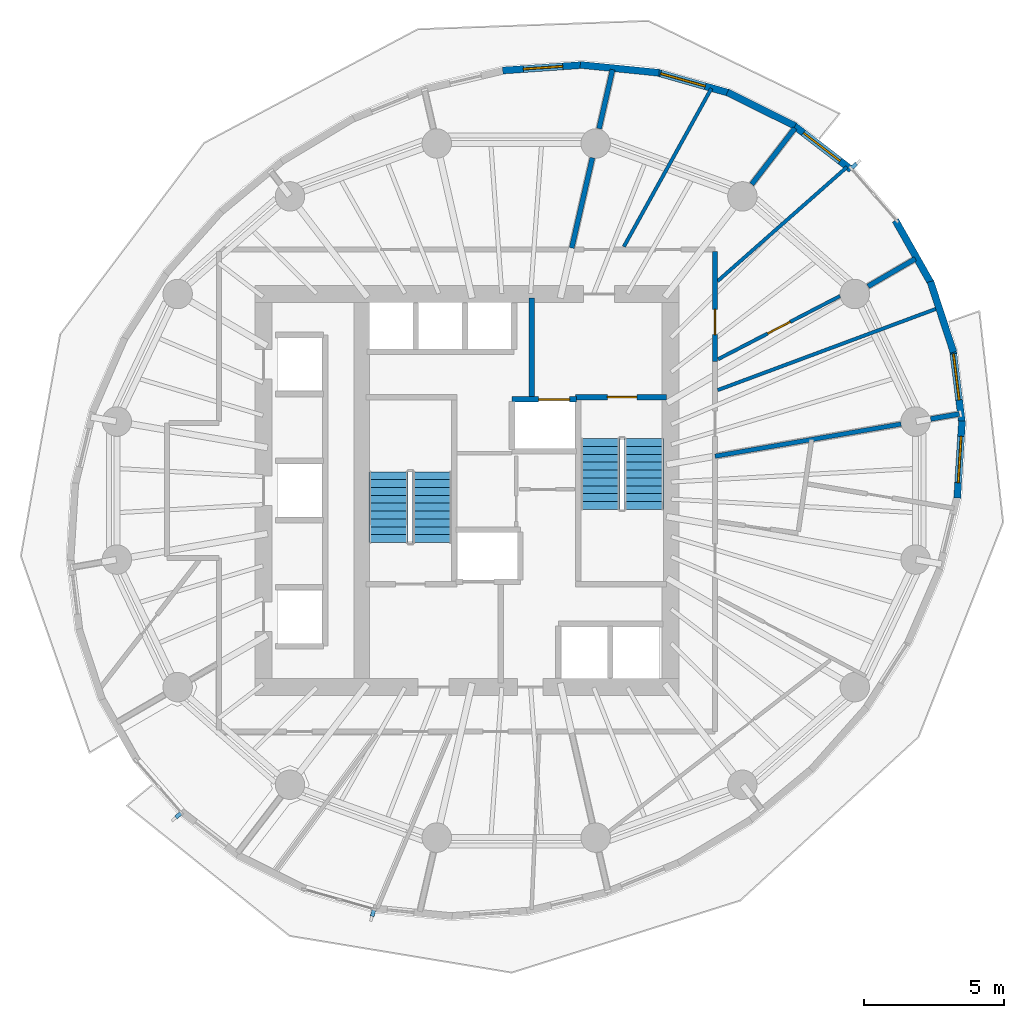
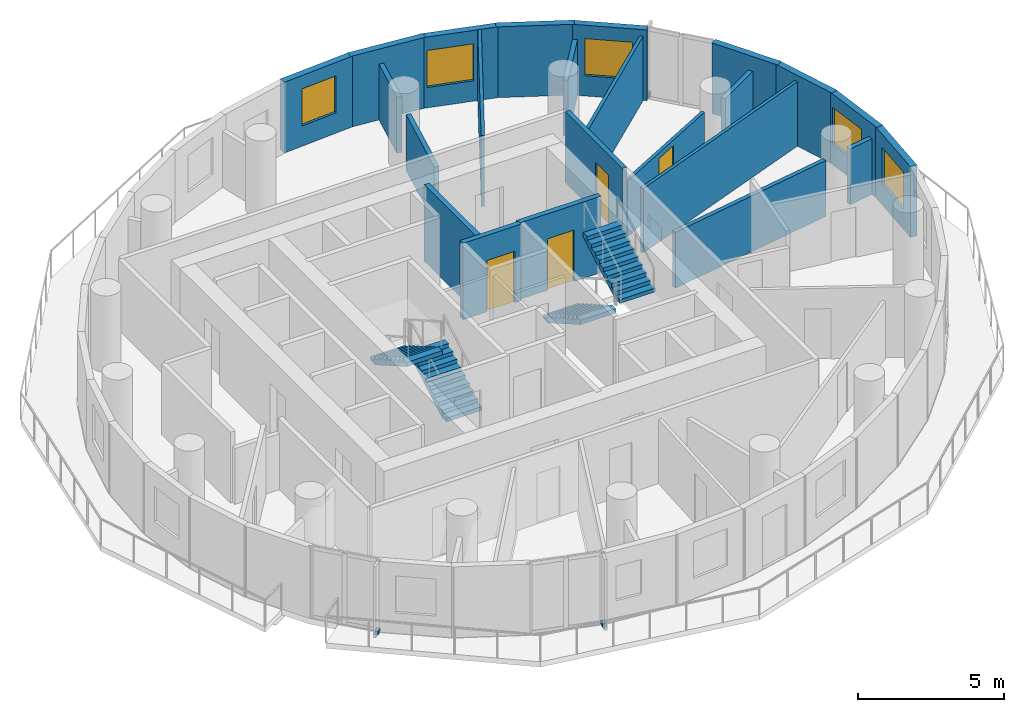
# One storey, part 7 of 12: 23 walls, 5 windows, 4 doors, 4 stair flights, 3 discrete accessories, 9 openings, 2 elements without a shape of their own.
"""IFC4 building model written with IfcOpenShell, lengths in metres."""

from ifc_helpers import new_model, si_unit, direction, frame, frame_2d, origin, origin_2d, place, context, subcontext, project, spatial, polyline, rectangle, outline, extrude, material, layer, layer_set, type_object, element, fill, aggregate, save


model = new_model("IFC4")

# Units and contexts
model_context = context("Model", 3, precision=1e-05, world=origin(), true_north=direction((0.0, 1.0)))
body_context = subcontext(model_context, "Body", "Model", "MODEL_VIEW")
ifc_project = project(units=[si_unit("LENGTHUNIT", "METRE"), si_unit("AREAUNIT", "SQUARE_METRE"), si_unit("VOLUMEUNIT", "CUBIC_METRE"), si_unit("PLANEANGLEUNIT", "RADIAN"), si_unit("MASSUNIT", "GRAM", prefix="KILO")], contexts=[model_context])

# Site, building, storey
site_placement = place(None, origin())
site = spatial("IfcSite", under=ifc_project, at=site_placement, CompositionType="ELEMENT")
building_placement = place(site_placement, origin())
building = spatial("IfcBuilding", under=site, at=building_placement, Name="Veldorim Arch Residences", CompositionType="ELEMENT")
storey_placement = place(building_placement, frame((0.0, 0.0, 142.56005859375)))
storey = spatial("IfcBuildingStorey", under=building, at=storey_placement, Name="L42", CompositionType="ELEMENT", Elevation=142.56005859375)

# Walls
ifc_material_1 = material(Name="Acoustic Gypsum Board", Category="gypsum")
ifc_layer_1 = layer(ifc_material_1, 0.125, Name="Acoustic Stud Room Partition Wall 125")
ifc_layer_set_1 = layer_set([ifc_layer_1], Name="Acoustic Gypsum Board")
wall_type_1 = type_object("IfcWallType", Name="Acoustic Stud Room Partition Wall 125", PredefinedType="PARTITIONING", material=ifc_layer_set_1)
wall_1_placement = place(storey_placement, frame((38.951171875, 38.322509765625, 0.0), z_axis=(0.0, 0.0, 1.0), x_axis=(-0.484039777335, -0.875045995338, 0.0)))
element("IfcWall", 1, at=wall_1_placement, inside=storey, type_object=wall_type_1, Name="L42 interior wall WL-RES-L42-021", PredefinedType="PARTITIONING", context=body_context, shape_type="SweptSolid", body=[
    extrude(rectangle(XDim=6.4423828125, YDim=0.125, at=frame_2d((3.22119140625, 0.0))), origin(), (0.0, 0.0, 1.0), 2.954833984375),
])
wall_2_placement = place(storey_placement, frame((43.78271484375, 35.5244140625, 0.0), z_axis=(0.0, 0.0, 1.0), x_axis=(-0.750018545151, -0.661416798947, 0.0)))
element("IfcWall", 2, at=wall_2_placement, inside=storey, type_object=wall_type_1, Name="L42 interior wall WL-RES-L42-023", PredefinedType="PARTITIONING", context=body_context, shape_type="SweptSolid", body=[
    extrude(rectangle(XDim=6.150146484375, YDim=0.125, at=frame_2d((3.0751953125, 0.0))), origin(), (0.0, 0.0, 1.0), 2.69189453125),
])

# Wall, opening, door
wall_3_placement = place(storey_placement, frame((43.531494140625, 30.927001953125, 0.0), z_axis=(0.0, 0.0, 1.0), x_axis=(-0.888041341995, -0.459763607638, 0.0)))
wall_3 = element("IfcWall", 3, at=wall_3_placement, inside=storey, type_object=wall_type_1, Name="L42 interior wall WL-RES-L42-024", PredefinedType="PARTITIONING", context=body_context, shape_type="SweptSolid", body=[
    extrude(rectangle(XDim=4.892822265625, YDim=0.125, at=frame_2d((2.4462890625, 0.0))), origin(), (0.0, 0.0, 1.0), 2.335693359375),
])
opening_1_placement = place(wall_3_placement, frame((1.996337890625, 0.0, 0.0)))
opening_1 = element("IfcOpeningElement", 4, at=opening_1_placement, cuts=wall_3, Name="Opening DR-INT", PredefinedType="OPENING", context=body_context, shape_type="SweptSolid", body=[
    extrude(rectangle(XDim=0.89990234375, YDim=2.10009765625, at=frame_2d((0.449951171875, 1.050048828125))), frame((0.0, 0.072509765625, 0.0), z_axis=(0.0, -1.0, 0.0), x_axis=(1.0, 0.0, 0.0)), (0.0, 0.0, 1.0), 0.14501953125),
])
ifc_material_2 = material(Name="Engineered Timber", Category="wood")
door_type_1 = type_object("IfcDoorType", Name="Apartment Internal Room Timber Door 900x2100", OperationType="SINGLE_SWING_LEFT", PredefinedType="DOOR", material=ifc_material_2)
door_1_placement = place(opening_1_placement, origin())
door_1 = element("IfcDoor", 5, at=door_1_placement, inside=storey, type_object=door_type_1, Name="L42 interior door DR-RES-L42-014", OperationType="SINGLE_SWING_RIGHT", OverallHeight=2.10009765625, OverallWidth=0.89990234375, PredefinedType="DOOR", context=body_context, shape_type="SweptSolid", body=[
    extrude(rectangle(XDim=0.89990234375, YDim=2.10009765625, at=frame_2d((0.449951171875, 1.050048828125))), frame((0.0, 0.02490234375, 0.0), z_axis=(0.0, -1.0, 0.0), x_axis=(1.0, 0.0, 0.0)), (0.0, 0.0, 1.0), 0.050048828125),
])
fill(opening_1, door_1)

# Walls
wall_4_placement = place(storey_placement, frame((39.173583984375, 27.57666015625, 0.0), z_axis=(0.0, 0.0, 1.0), x_axis=(0.9372070401, 0.348773513883, 0.0)))
element("IfcWall", 6, at=wall_4_placement, inside=storey, type_object=wall_type_1, Name="L42 interior wall WL-RES-L42-025", PredefinedType="PARTITIONING", context=body_context, shape_type="SweptSolid", body=[
    extrude(rectangle(XDim=8.39501953125, YDim=0.125, at=frame_2d((4.197509765625, 0.0))), origin(), (0.0, 0.0, 1.0), 2.69189453125),
])
ifc_material_3 = material(Name="Lightweight Masonry Block & Gypsum", Category="masonry")
ifc_layer_2 = layer(ifc_material_3, 0.179931640625, Name="Compartment & Corridor Fire-Rated Party Wall 180")
ifc_layer_set_2 = layer_set([ifc_layer_2], Name="Lightweight Masonry Block & Gypsum")
wall_type_2 = type_object("IfcWallType", Name="Compartment & Corridor Fire-Rated Party Wall 180", PredefinedType="PARTITIONING", material=ifc_layer_set_2)
wall_5_placement = place(storey_placement, frame((46.75830078125, 26.55078125, 0.0), z_axis=(0.0, 0.0, 1.0), x_axis=(0.985390767806, 0.170308645474, 0.0)))
element("IfcWall", 7, at=wall_5_placement, inside=storey, type_object=wall_type_2, Name="L42 interior wall WL-PIER-L42-01", PredefinedType="PARTITIONING", context=body_context, shape_type="SweptSolid", body=[
    extrude(rectangle(XDim=1.037841796875, YDim=0.179931640625, at=frame_2d((0.51904296875, 0.0))), origin(), (0.0, 0.0, 1.0), 2.335693359375),
])
wall_6_placement = place(storey_placement, frame((44.527587890625, 31.27392578125, 0.0), z_axis=(0.0, 0.0, 1.0), x_axis=(0.864802971131, 0.502111363268, 0.0)))
element("IfcWall", 8, at=wall_6_placement, inside=storey, type_object=wall_type_2, Name="L42 interior wall WL-PIER-L42-02", PredefinedType="PARTITIONING", context=body_context, shape_type="SweptSolid", body=[
    extrude(rectangle(XDim=1.95068359375, YDim=0.179931640625, at=frame_2d((0.975341796875, 0.0))), origin(), (0.0, 0.0, 1.0), 2.335693359375),
])
wall_7_placement = place(storey_placement, frame((40.387939453125, 34.908447265625, 0.0), z_axis=(0.0, 0.0, 1.0), x_axis=(0.609556175004, 0.792742877303, 0.0)))
element("IfcWall", 9, at=wall_7_placement, inside=storey, type_object=wall_type_2, Name="L42 interior wall WL-PIER-L42-03", PredefinedType="PARTITIONING", context=body_context, shape_type="SweptSolid", body=[
    extrude(rectangle(XDim=2.518798828125, YDim=0.179931640625, at=frame_2d((1.25927734375, 0.0))), origin(), (0.0, 0.0, 1.0), 2.335693359375),
])
wall_8_placement = place(storey_placement, frame((34.950439453125, 36.88916015625, 0.0), z_axis=(0.0, 0.0, 1.0), x_axis=(0.223080127706, 0.974800111111, 0.0)))
element("IfcWall", 10, at=wall_8_placement, inside=storey, type_object=wall_type_2, Name="L42 interior wall WL-PIER-L42-04", PredefinedType="PARTITIONING", context=body_context, shape_type="SweptSolid", body=[
    extrude(rectangle(XDim=2.15478515625, YDim=0.179931640625, at=frame_2d((1.077392578125, 0.0))), origin(), (0.0, 0.0, 1.0), 2.335693359375),
])

# Wall, opening, door
wall_9_placement = place(storey_placement, frame((39.080078125, 32.52001953125, 0.0), z_axis=(0.0, 0.0, 1.0), x_axis=(0.0, -1.0, 0.0)))
wall_9 = element("IfcWall", 11, at=wall_9_placement, inside=storey, type_object=wall_type_2, Name="L42 interior wall WL-RES-L42-005", PredefinedType="PARTITIONING", context=body_context, shape_type="SweptSolid", body=[
    extrude(rectangle(XDim=3.917724609375, YDim=0.179931640625, at=frame_2d((1.958984375, 0.0))), origin(), (0.0, 0.0, 1.0), 2.954833984375),
])
opening_2_placement = place(wall_9_placement, frame((2.06689453125, 0.0, 0.0)))
opening_2 = element("IfcOpeningElement", 12, at=opening_2_placement, cuts=wall_9, Name="Opening DR-SVC", PredefinedType="OPENING", context=body_context, shape_type="SweptSolid", body=[
    extrude(rectangle(XDim=0.89990234375, YDim=2.10009765625, at=frame_2d((0.449951171875, 1.050048828125))), frame((0.0, 0.099853515625, 0.0), z_axis=(0.0, -1.0, 0.0), x_axis=(1.0, 0.0, 0.0)), (0.0, 0.0, 1.0), 0.199951171875),
])
ifc_material_4 = material(Name="Fire-Rated Steel", Category="steel")
door_type_2 = type_object("IfcDoorType", Name="Riser, Shelter & Plant Room Rated Steel Door 900x2100", OperationType="SINGLE_SWING_LEFT", PredefinedType="DOOR", material=ifc_material_4)
door_2_placement = place(opening_2_placement, origin())
door_2 = element("IfcDoor", 13, at=door_2_placement, inside=storey, type_object=door_type_2, Name="L42 interior door DR-RES-L42-012", OperationType="SINGLE_SWING_RIGHT", OverallHeight=2.10009765625, OverallWidth=0.89990234375, PredefinedType="DOOR", context=body_context, shape_type="SweptSolid", body=[
    extrude(rectangle(XDim=0.89990234375, YDim=2.10009765625, at=frame_2d((0.449951171875, 1.050048828125))), frame((0.0, 0.02490234375, 0.0), z_axis=(0.0, -1.0, 0.0), x_axis=(1.0, 0.0, 0.0)), (0.0, 0.0, 1.0), 0.050048828125),
])
fill(opening_2, door_2)

# Wall
wall_10_placement = place(storey_placement, frame((33.977294921875, 32.638427734375, 0.0), z_axis=(0.0, 0.0, 1.0), x_axis=(0.22319287001, 0.974774303506, 0.0)))
element("IfcWall", 14, at=wall_10_placement, inside=storey, type_object=wall_type_2, Name="L42 interior wall WL-RES-L42-022", PredefinedType="PARTITIONING", context=body_context, shape_type="SweptSolid", body=[
    extrude(rectangle(XDim=3.2958984375, YDim=0.179931640625, at=frame_2d((1.64794921875, 0.0))), origin(), (0.0, 0.0, 1.0), 2.335693359375),
])

# Wall, opening, door
ifc_material_5 = material(Name="Concrete C50/60", Category="concrete")
ifc_layer_3 = layer(ifc_material_5, 0.199951171875, Name="Core Stair & Lift Shaft Enclosure Wall 200")
ifc_layer_set_3 = layer_set([ifc_layer_3], Name="Concrete C50/60")
wall_type_3 = type_object("IfcWallType", Name="Core Stair & Lift Shaft Enclosure Wall 200", PredefinedType="SHEAR", material=ifc_layer_set_3)
wall_11_placement = place(storey_placement, frame((34.110107421875, 27.330078125, 0.0), z_axis=(0.0, 0.0, 1.0), x_axis=(1.0, 0.0, 0.0)))
wall_11 = element("IfcWall", 15, at=wall_11_placement, inside=storey, type_object=wall_type_3, Name="L42 shaft wall WL-SHF-L42-ST2-N", PredefinedType="SHEAR", context=body_context, shape_type="SweptSolid", body=[
    extrude(rectangle(XDim=3.239990234375, YDim=0.199951171875, at=frame_2d((1.6201171875, 0.0))), origin(), (0.0, 0.0, 1.0), 3.199951171875),
])
opening_3_placement = place(wall_11_placement, frame((1.135009765625, 0.0, 0.0)))
opening_3 = element("IfcOpeningElement", 16, at=opening_3_placement, cuts=wall_11, Name="Opening DR-ST", PredefinedType="OPENING", context=body_context, shape_type="SweptSolid", body=[
    extrude(rectangle(XDim=1.050048828125, YDim=2.14990234375, at=frame_2d((0.52490234375, 1.074951171875))), frame((0.0, 0.10986328125, 0.0), z_axis=(0.0, -1.0, 0.0), x_axis=(1.0, 0.0, 0.0)), (0.0, 0.0, 1.0), 0.219970703125),
])
ifc_material_6 = material(Name="Fire-Rated Steel", Category="steel")
door_type_3 = type_object("IfcDoorType", Name="Exit Staircase Self-Closing Fire Door 1050x2150", OperationType="SINGLE_SWING_LEFT", PredefinedType="DOOR", material=ifc_material_6)
door_3_placement = place(opening_3_placement, origin())
door_3 = element("IfcDoor", 17, at=door_3_placement, inside=storey, type_object=door_type_3, Name="L42 interior door DR-L42-ST2", OperationType="SINGLE_SWING_RIGHT", OverallHeight=2.14990234375, OverallWidth=1.050048828125, PredefinedType="DOOR", context=body_context, shape_type="SweptSolid", body=[
    extrude(rectangle(XDim=1.050048828125, YDim=2.14990234375, at=frame_2d((0.52490234375, 1.074951171875))), frame((0.0, 0.02490234375, 0.0), z_axis=(0.0, -1.0, 0.0), x_axis=(1.0, 0.0, 0.0)), (0.0, 0.0, 1.0), 0.050048828125),
])
fill(opening_3, door_3)

# Wall
wall_12_placement = place(storey_placement, frame((32.550048828125, 27.35009765625, 0.0), z_axis=(0.0, 0.0, 1.0), x_axis=(0.0, 1.0, 0.0)))
element("IfcWall", 18, at=wall_12_placement, inside=storey, type_object=wall_type_3, Name="L42 shaft wall WL-FFL2-L42-W", PredefinedType="SHEAR", context=body_context, shape_type="SweptSolid", body=[
    extrude(rectangle(XDim=3.5, YDim=0.199951171875, at=frame_2d((1.75, 0.0))), origin(), (0.0, 0.0, 1.0), 3.199951171875),
])

# Wall, opening, door
wall_13_placement = place(storey_placement, frame((31.85009765625, 27.25, 0.0), z_axis=(0.0, 0.0, 1.0), x_axis=(1.0, 0.0, 0.0)))
wall_13 = element("IfcWall", 19, at=wall_13_placement, inside=storey, type_object=wall_type_3, Name="L42 shaft wall WL-FL02-L42-N", PredefinedType="SHEAR", context=body_context, shape_type="SweptSolid", body=[
    extrude(rectangle(XDim=2.2998046875, YDim=0.199951171875, at=frame_2d((1.14990234375, 0.0))), origin(), (0.0, 0.0, 1.0), 3.199951171875),
])
opening_4_placement = place(wall_13_placement, frame((0.949951171875, 0.0, 0.0)))
opening_4 = element("IfcOpeningElement", 20, at=opening_4_placement, cuts=wall_13, Name="Opening LD-FF", PredefinedType="OPENING", context=body_context, shape_type="SweptSolid", body=[
    extrude(rectangle(XDim=1.10009765625, YDim=2.14990234375, at=frame_2d((0.550048828125, 1.074951171875))), frame((0.0, 0.10986328125, 0.0), z_axis=(0.0, -1.0, 0.0), x_axis=(1.0, 0.0, 0.0)), (0.0, 0.0, 1.0), 0.219970703125),
])
ifc_material_7 = material(Name="Stainless Steel", Category="steel")
door_type_4 = type_object("IfcDoorType", Name="Firefighting Lift Bi-Parting Sliding Landing Door 1100x2150", OperationType="DOUBLE_DOOR_SLIDING", PredefinedType="DOOR", material=ifc_material_7)
door_4_placement = place(opening_4_placement, origin())
door_4 = element("IfcDoor", 21, at=door_4_placement, inside=storey, type_object=door_type_4, Name="L42 lift landing door LD-L42-FL02", OperationType="DOUBLE_DOOR_SLIDING", OverallHeight=2.14990234375, OverallWidth=1.10009765625, PredefinedType="DOOR", context=body_context, shape_type="SweptSolid", body=[
    extrude(rectangle(XDim=1.10009765625, YDim=2.14990234375, at=frame_2d((0.550048828125, 1.074951171875))), frame((0.0, 0.02490234375, 0.0), z_axis=(0.0, -1.0, 0.0), x_axis=(1.0, 0.0, 0.0)), (0.0, 0.0, 1.0), 0.050048828125),
])
fill(opening_4, door_4)

# Wall, opening, window
ifc_material_8 = material(Name="Precast concrete C40/50", Category="concrete")
ifc_layer_4 = layer(ifc_material_8, 0.25, Name="Tower Terracotta Spandrel & Pier Wall 250")
ifc_layer_set_4 = layer_set([ifc_layer_4], Name="Precast concrete C40/50")
wall_type_4 = type_object("IfcWallType", Name="Tower Terracotta Spandrel & Pier Wall 250", PredefinedType="SOLIDWALL", material=ifc_layer_set_4)
wall_14_placement = place(storey_placement, frame((41.83056640625, 37.046142578125, 0.0), z_axis=(0.0, 0.0, 1.0), x_axis=(0.7923805969, -0.610027040103, 0.0)))
wall_14 = element("IfcWall", 22, at=wall_14_placement, inside=storey, type_object=wall_type_4, Name="L42 terracotta facade wall 02", PredefinedType="SOLIDWALL", context=body_context, shape_type="SweptSolid", body=[
    extrude(rectangle(XDim=2.648193359375, YDim=0.25, at=frame_2d((1.32421875, 0.0))), origin(), (0.0, 0.0, 1.0), 2.9599609375),
])
opening_5_placement = place(wall_14_placement, frame((0.4990234375, 0.0, 0.85009765625)))
opening_5 = element("IfcOpeningElement", 23, at=opening_5_placement, cuts=wall_14, Name="Opening WN-03", PredefinedType="OPENING", context=body_context, shape_type="SweptSolid", body=[
    extrude(rectangle(XDim=1.64990234375, YDim=1.550048828125, at=frame_2d((0.824951171875, 0.77490234375))), frame((0.0, 0.135009765625, 0.0), z_axis=(0.0, -1.0, 0.0), x_axis=(1.0, 0.0, 0.0)), (0.0, 0.0, 1.0), 0.27001953125),
])
ifc_material_9 = material(Name="Laminated Low-E Glass", Category="glass")
window_type_1 = type_object("IfcWindowType", Name="Residential Wide Window 1650x1550", PartitioningType="SINGLE_PANEL", PredefinedType="WINDOW", material=ifc_material_9)
window_1_placement = place(opening_5_placement, origin())
window_1 = element("IfcWindow", 24, at=window_1_placement, inside=storey, type_object=window_type_1, Name="L42 solar-control facade window 02", OverallHeight=1.550048828125, OverallWidth=1.64990234375, PartitioningType="SINGLE_PANEL", PredefinedType="WINDOW", context=body_context, shape_type="SweptSolid", body=[
    extrude(rectangle(XDim=1.64990234375, YDim=1.550048828125, at=frame_2d((0.824951171875, 0.77490234375))), frame((0.0, 0.030029296875, 0.0), z_axis=(0.0, -1.0, 0.0), x_axis=(1.0, 0.0, 0.0)), (0.0, 0.0, 1.0), 0.06005859375),
])
fill(opening_5, window_1)

# Wall
wall_15_placement = place(storey_placement, frame((39.51708984375, 38.18798828125, 0.0), z_axis=(0.0, 0.0, 1.0), x_axis=(0.894843809708, -0.446379385979, 0.0)))
element("IfcWall", 25, at=wall_15_placement, inside=storey, type_object=wall_type_4, Name="L42 terracotta facade wall 03", PredefinedType="SOLIDWALL", context=body_context, shape_type="SweptSolid", body=[
    extrude(rectangle(XDim=2.693115234375, YDim=0.25, at=frame_2d((1.3466796875, 0.0))), origin(), (0.0, 0.0, 1.0), 2.9599609375),
])

# Wall, opening, window
wall_16_placement = place(storey_placement, frame((36.97509765625, 38.900146484375, 0.0), z_axis=(0.0, 0.0, 1.0), x_axis=(0.961851311091, -0.27357276062, 0.0)))
wall_16 = element("IfcWall", 26, at=wall_16_placement, inside=storey, type_object=wall_type_4, Name="L42 terracotta facade wall 04", PredefinedType="SOLIDWALL", context=body_context, shape_type="SweptSolid", body=[
    extrude(rectangle(XDim=2.752197265625, YDim=0.25, at=frame_2d((1.3759765625, 0.0))), origin(), (0.0, 0.0, 1.0), 2.9599609375),
])
opening_6_placement = place(wall_16_placement, frame((0.175048828125, 0.0, 0.85009765625)))
opening_6 = element("IfcOpeningElement", 27, at=opening_6_placement, cuts=wall_16, Name="Opening WN-03", PredefinedType="OPENING", context=body_context, shape_type="SweptSolid", body=[
    extrude(rectangle(XDim=1.64990234375, YDim=1.550048828125, at=frame_2d((0.824951171875, 0.77490234375))), frame((0.0, 0.135009765625, 0.0), z_axis=(0.0, -1.0, 0.0), x_axis=(1.0, 0.0, 0.0)), (0.0, 0.0, 1.0), 0.27001953125),
])
window_2_placement = place(opening_6_placement, origin())
window_2 = element("IfcWindow", 28, at=window_2_placement, inside=storey, type_object=window_type_1, Name="L42 solar-control facade window 04", OverallHeight=1.550048828125, OverallWidth=1.64990234375, PartitioningType="SINGLE_PANEL", PredefinedType="WINDOW", context=body_context, shape_type="SweptSolid", body=[
    extrude(rectangle(XDim=1.64990234375, YDim=1.550048828125, at=frame_2d((0.824951171875, 0.77490234375))), frame((0.0, 0.030029296875, 0.0), z_axis=(0.0, -1.0, 0.0), x_axis=(1.0, 0.0, 0.0)), (0.0, 0.0, 1.0), 0.06005859375),
])
fill(opening_6, window_2)

# Wall
wall_17_placement = place(storey_placement, frame((34.281494140625, 39.16015625, 0.0), z_axis=(0.0, 0.0, 1.0), x_axis=(0.995013999105, -0.099735357744, 0.0)))
element("IfcWall", 29, at=wall_17_placement, inside=storey, type_object=wall_type_4, Name="L42 terracotta facade wall 05", PredefinedType="SOLIDWALL", context=body_context, shape_type="SweptSolid", body=[
    extrude(rectangle(XDim=2.817626953125, YDim=0.25, at=frame_2d((1.40869140625, 0.0))), origin(), (0.0, 0.0, 1.0), 2.9599609375),
])

# Wall, opening, window
wall_18_placement = place(storey_placement, frame((31.517333984375, 38.960205078125, 0.0), z_axis=(0.0, 0.0, 1.0), x_axis=(0.997630729469, 0.068796276206, 0.0)))
wall_18 = element("IfcWall", 30, at=wall_18_placement, inside=storey, type_object=wall_type_4, Name="L42 terracotta facade wall 06", PredefinedType="SOLIDWALL", context=body_context, shape_type="SweptSolid", body=[
    extrude(rectangle(XDim=2.881591796875, YDim=0.25, at=frame_2d((1.44091796875, 0.0))), origin(), (0.0, 0.0, 1.0), 2.9599609375),
])
opening_7_placement = place(wall_18_placement, frame((0.740966796875, 0.0, 0.85009765625)))
opening_7 = element("IfcOpeningElement", 31, at=opening_7_placement, cuts=wall_18, Name="Opening WN-02", PredefinedType="OPENING", context=body_context, shape_type="SweptSolid", body=[
    extrude(rectangle(XDim=1.39990234375, YDim=1.550048828125, at=frame_2d((0.699951171875, 0.77490234375))), frame((0.0, 0.135009765625, 0.0), z_axis=(0.0, -1.0, 0.0), x_axis=(1.0, 0.0, 0.0)), (0.0, 0.0, 1.0), 0.27001953125),
])
ifc_material_10 = material(Name="Laminated Low-E Glass", Category="glass")
window_type_2 = type_object("IfcWindowType", Name="Residential Casement Window 1400x1550", PartitioningType="SINGLE_PANEL", PredefinedType="WINDOW", material=ifc_material_10)
window_3_placement = place(opening_7_placement, origin())
window_3 = element("IfcWindow", 32, at=window_3_placement, inside=storey, type_object=window_type_2, Name="L42 solar-control facade window 06", OverallHeight=1.550048828125, OverallWidth=1.39990234375, PartitioningType="SINGLE_PANEL", PredefinedType="WINDOW", context=body_context, shape_type="SweptSolid", body=[
    extrude(rectangle(XDim=1.39990234375, YDim=1.550048828125, at=frame_2d((0.699951171875, 0.77490234375))), frame((0.0, 0.030029296875, 0.0), z_axis=(0.0, -1.0, 0.0), x_axis=(1.0, 0.0, 0.0)), (0.0, 0.0, 1.0), 0.06005859375),
])
fill(opening_7, window_3)

wall_19_placement = place(storey_placement, frame((47.877685546875, 26.479248046875, 0.0), z_axis=(0.0, 0.0, 1.0), x_axis=(-0.062278868317, -0.998058787127, 0.0)))
wall_19 = element("IfcWall", 33, at=wall_19_placement, inside=storey, type_object=wall_type_4, Name="L42 terracotta facade wall 33", PredefinedType="SOLIDWALL", context=body_context, shape_type="SweptSolid", body=[
    extrude(rectangle(XDim=2.751953125, YDim=0.25, at=frame_2d((1.3759765625, 0.0))), origin(), (0.0, 0.0, 1.0), 2.9599609375),
])
opening_8_placement = place(wall_19_placement, frame((0.551025390625, 0.0, 0.85009765625)))
opening_8 = element("IfcOpeningElement", 34, at=opening_8_placement, cuts=wall_19, Name="Opening WN-03", PredefinedType="OPENING", context=body_context, shape_type="SweptSolid", body=[
    extrude(rectangle(XDim=1.64990234375, YDim=1.550048828125, at=frame_2d((0.824951171875, 0.77490234375))), frame((0.0, 0.135009765625, 0.0), z_axis=(0.0, -1.0, 0.0), x_axis=(1.0, 0.0, 0.0)), (0.0, 0.0, 1.0), 0.27001953125),
])
window_4_placement = place(opening_8_placement, origin())
window_4 = element("IfcWindow", 35, at=window_4_placement, inside=storey, type_object=window_type_1, Name="L42 solar-control facade window 33", OverallHeight=1.550048828125, OverallWidth=1.64990234375, PartitioningType="SINGLE_PANEL", PredefinedType="WINDOW", context=body_context, shape_type="SweptSolid", body=[
    extrude(rectangle(XDim=1.64990234375, YDim=1.550048828125, at=frame_2d((0.824951171875, 0.77490234375))), frame((0.0, 0.030029296875, 0.0), z_axis=(0.0, -1.0, 0.0), x_axis=(1.0, 0.0, 0.0)), (0.0, 0.0, 1.0), 0.06005859375),
])
fill(opening_8, window_4)

wall_20_placement = place(storey_placement, frame((47.54931640625, 29.0390625, 0.0), z_axis=(0.0, 0.0, 1.0), x_axis=(0.123197890413, -0.992382123881, 0.0)))
wall_20 = element("IfcWall", 36, at=wall_20_placement, inside=storey, type_object=wall_type_4, Name="L42 terracotta facade wall 34", PredefinedType="SOLIDWALL", context=body_context, shape_type="SweptSolid", body=[
    extrude(rectangle(XDim=2.693115234375, YDim=0.25, at=frame_2d((1.3466796875, 0.0))), origin(), (0.0, 0.0, 1.0), 2.9599609375),
])
opening_9_placement = place(wall_20_placement, frame((0.175048828125, 0.0, 0.85009765625)))
opening_9 = element("IfcOpeningElement", 37, at=opening_9_placement, cuts=wall_20, Name="Opening WN-03", PredefinedType="OPENING", context=body_context, shape_type="SweptSolid", body=[
    extrude(rectangle(XDim=1.64990234375, YDim=1.550048828125, at=frame_2d((0.824951171875, 0.77490234375))), frame((0.0, 0.135009765625, 0.0), z_axis=(0.0, -1.0, 0.0), x_axis=(1.0, 0.0, 0.0)), (0.0, 0.0, 1.0), 0.27001953125),
])
window_5_placement = place(opening_9_placement, origin())
window_5 = element("IfcWindow", 38, at=window_5_placement, inside=storey, type_object=window_type_1, Name="L42 solar-control facade window 34", OverallHeight=1.550048828125, OverallWidth=1.64990234375, PartitioningType="SINGLE_PANEL", PredefinedType="WINDOW", context=body_context, shape_type="SweptSolid", body=[
    extrude(rectangle(XDim=1.64990234375, YDim=1.550048828125, at=frame_2d((0.824951171875, 0.77490234375))), frame((0.0, 0.030029296875, 0.0), z_axis=(0.0, -1.0, 0.0), x_axis=(1.0, 0.0, 0.0)), (0.0, 0.0, 1.0), 0.06005859375),
])
fill(opening_9, window_5)

# Walls
wall_21_placement = place(storey_placement, frame((46.749267578125, 31.4443359375, 0.0), z_axis=(0.0, 0.0, 1.0), x_axis=(0.311522010952, -0.950238936633, 0.0)))
element("IfcWall", 39, at=wall_21_placement, inside=storey, type_object=wall_type_4, Name="L42 terracotta facade wall 35", PredefinedType="SOLIDWALL", context=body_context, shape_type="SweptSolid", body=[
    extrude(rectangle(XDim=2.648193359375, YDim=0.25, at=frame_2d((1.32421875, 0.0))), origin(), (0.0, 0.0, 1.0), 2.9599609375),
])
wall_22_placement = place(storey_placement, frame((45.501953125, 33.623046875, 0.0), z_axis=(0.0, 0.0, 1.0), x_axis=(0.492909281161, -0.870080709214, 0.0)))
element("IfcWall", 40, at=wall_22_placement, inside=storey, type_object=wall_type_4, Name="L42 terracotta facade wall 36", PredefinedType="SOLIDWALL", context=body_context, shape_type="SweptSolid", body=[
    extrude(rectangle(XDim=2.6240234375, YDim=0.25, at=frame_2d((1.31201171875, 0.0))), origin(), (0.0, 0.0, 1.0), 2.9599609375),
])
ifc_material_11 = material(Name="Moisture-Resistant Gypsum & Stud", Category="gypsum")
ifc_layer_5 = layer(ifc_material_11, 0.159912109375, Name="Wet-Area Moisture-Resistant Plumbing Wall 160")
ifc_layer_set_5 = layer_set([ifc_layer_5], Name="Moisture-Resistant Gypsum & Stud")
wall_type_5 = type_object("IfcWallType", Name="Wet-Area Moisture-Resistant Plumbing Wall 160", PredefinedType="PLUMBINGWALL", material=ifc_layer_set_5)
wall_23_placement = place(storey_placement, frame((39.080078125, 25.2236328125, 0.0), z_axis=(0.0, 0.0, 1.0), x_axis=(0.985384524795, 0.17034476304, 0.0)))
element("IfcWall", 41, at=wall_23_placement, inside=storey, type_object=wall_type_5, Name="L42 interior wall WL-RES-L42-019", PredefinedType="PLUMBINGWALL", context=body_context, shape_type="SweptSolid", body=[
    extrude(rectangle(XDim=6.7216796875, YDim=0.159912109375, at=frame_2d((3.36083984375, 0.0))), origin(), (0.0, 0.0, 1.0), 2.335693359375),
])

# Stair, stair flights
ifc_material_12 = material(Name="Concrete C40/50", Category="concrete")
stair_type = type_object("IfcStairType", Name="Reinforced Concrete Dogleg Exit Staircase", PredefinedType="HALF_TURN_STAIR", material=ifc_material_12)
stair_1_placement = place(storey_placement, origin())
stair_1 = element("IfcStair", 42, at=stair_1_placement, inside=storey, type_object=stair_type, Name="L42 Exit Staircase ST-1", PredefinedType="HALF_TURN_STAIR")
ifc_material_13 = material(Name="Concrete C40/50", Category="concrete")
stair_flight_type = type_object("IfcStairFlightType", Name="Reinforced Concrete Stair Flight 1400", PredefinedType="STRAIGHT", material=ifc_material_13)
stair_flight_1_placement = place(storey_placement, frame((29.010009765625, 22.14990234375, 0.0), z_axis=(0.0, 0.0, 1.0), x_axis=(0.0, 1.0, 0.0)))
stair_flight_1 = element("IfcStairFlight", 43, at=stair_flight_1_placement, type_object=stair_flight_type, Name="ST-1 flight 1", NumberOfRisers=10, NumberOfTreads=9, PredefinedType="STRAIGHT", RiserHeight=0.16, TreadLength=0.28, context=body_context, shape_type="SweptSolid", body=[
    extrude(outline(polyline([(0.0, 0.0), (0.0, 0.159912109375), (0.280029296875, 0.159912109375), (0.280029296875, 0.320068359375), (0.56005859375, 0.320068359375), (0.56005859375, 0.47998046875), (0.840087890625, 0.47998046875), (0.840087890625, 0.639892578125), (1.1201171875, 0.639892578125), (1.1201171875, 0.800048828125), (1.39990234375, 0.800048828125), (1.39990234375, 0.9599609375), (1.679931640625, 0.9599609375), (1.679931640625, 1.1201171875), (1.9599609375, 1.1201171875), (1.9599609375, 1.280029296875), (2.239990234375, 1.280029296875), (2.239990234375, 1.43994140625), (2.52001953125, 1.43994140625), (2.52001953125, 1.60009765625), (2.52001953125, 1.255859375), (0.322265625, 0.0), (0.0, 0.0)])), frame((0.0, 0.699951171875, 0.0), z_axis=(0.0, -1.0, 0.0), x_axis=(1.0, 0.0, 0.0)), (0.0, 0.0, 1.0), 1.39990234375),
])
stair_flight_2_placement = place(storey_placement, frame((27.449951171875, 24.669921875, 1.599853515625), z_axis=(0.0, 0.0, 1.0), x_axis=(0.0, -1.0, 0.0)))
stair_flight_2 = element("IfcStairFlight", 44, at=stair_flight_2_placement, type_object=stair_flight_type, Name="ST-1 flight 2", NumberOfRisers=10, NumberOfTreads=9, PredefinedType="STRAIGHT", RiserHeight=0.16, TreadLength=0.28, context=body_context, shape_type="SweptSolid", body=[
    extrude(outline(polyline([(0.0, 0.0), (0.0, 0.159912109375), (0.280029296875, 0.159912109375), (0.280029296875, 0.320068359375), (0.56005859375, 0.320068359375), (0.56005859375, 0.47998046875), (0.840087890625, 0.47998046875), (0.840087890625, 0.639892578125), (1.1201171875, 0.639892578125), (1.1201171875, 0.800048828125), (1.39990234375, 0.800048828125), (1.39990234375, 0.9599609375), (1.679931640625, 0.9599609375), (1.679931640625, 1.1201171875), (1.9599609375, 1.1201171875), (1.9599609375, 1.280029296875), (2.239990234375, 1.280029296875), (2.239990234375, 1.43994140625), (2.52001953125, 1.43994140625), (2.52001953125, 1.60009765625), (2.52001953125, 1.255859375), (0.322265625, 0.0), (0.0, 0.0)])), frame((0.0, 0.699951171875, 0.0), z_axis=(0.0, -1.0, 0.0), x_axis=(1.0, 0.0, 0.0)), (0.0, 0.0, 1.0), 1.39990234375),
])
aggregate(stair_1, [stair_flight_1, stair_flight_2])

stair_2_placement = place(storey_placement, origin())
stair_2 = element("IfcStair", 45, at=stair_2_placement, inside=storey, type_object=stair_type, Name="L42 Exit Staircase ST-2", PredefinedType="HALF_TURN_STAIR")
stair_flight_3_placement = place(storey_placement, frame((34.989990234375, 25.85009765625, 0.0), z_axis=(0.0, 0.0, 1.0), x_axis=(0.0, -1.0, 0.0)))
stair_flight_3 = element("IfcStairFlight", 46, at=stair_flight_3_placement, type_object=stair_flight_type, Name="ST-2 flight 1", NumberOfRisers=10, NumberOfTreads=9, PredefinedType="STRAIGHT", RiserHeight=0.16, TreadLength=0.28, context=body_context, shape_type="SweptSolid", body=[
    extrude(outline(polyline([(0.0, 0.0), (0.0, 0.159912109375), (0.280029296875, 0.159912109375), (0.280029296875, 0.320068359375), (0.56005859375, 0.320068359375), (0.56005859375, 0.47998046875), (0.840087890625, 0.47998046875), (0.840087890625, 0.639892578125), (1.1201171875, 0.639892578125), (1.1201171875, 0.800048828125), (1.39990234375, 0.800048828125), (1.39990234375, 0.9599609375), (1.679931640625, 0.9599609375), (1.679931640625, 1.1201171875), (1.9599609375, 1.1201171875), (1.9599609375, 1.280029296875), (2.239990234375, 1.280029296875), (2.239990234375, 1.43994140625), (2.52001953125, 1.43994140625), (2.52001953125, 1.60009765625), (2.52001953125, 1.255859375), (0.322265625, 0.0), (0.0, 0.0)])), frame((0.0, 0.699951171875, 0.0), z_axis=(0.0, -1.0, 0.0), x_axis=(1.0, 0.0, 0.0)), (0.0, 0.0, 1.0), 1.39990234375),
])
stair_flight_4_placement = place(storey_placement, frame((36.550048828125, 23.330078125, 1.599853515625), z_axis=(0.0, 0.0, 1.0), x_axis=(0.0, 1.0, 0.0)))
stair_flight_4 = element("IfcStairFlight", 47, at=stair_flight_4_placement, type_object=stair_flight_type, Name="ST-2 flight 2", NumberOfRisers=10, NumberOfTreads=9, PredefinedType="STRAIGHT", RiserHeight=0.16, TreadLength=0.28, context=body_context, shape_type="SweptSolid", body=[
    extrude(outline(polyline([(0.0, 0.0), (0.0, 0.159912109375), (0.280029296875, 0.159912109375), (0.280029296875, 0.320068359375), (0.56005859375, 0.320068359375), (0.56005859375, 0.47998046875), (0.840087890625, 0.47998046875), (0.840087890625, 0.639892578125), (1.1201171875, 0.639892578125), (1.1201171875, 0.800048828125), (1.39990234375, 0.800048828125), (1.39990234375, 0.9599609375), (1.679931640625, 0.9599609375), (1.679931640625, 1.1201171875), (1.9599609375, 1.1201171875), (1.9599609375, 1.280029296875), (2.239990234375, 1.280029296875), (2.239990234375, 1.43994140625), (2.52001953125, 1.43994140625), (2.52001953125, 1.60009765625), (2.52001953125, 1.255859375), (0.322265625, 0.0), (0.0, 0.0)])), frame((0.0, 0.699951171875, 0.0), z_axis=(0.0, -1.0, 0.0), x_axis=(1.0, 0.0, 0.0)), (0.0, 0.0, 1.0), 1.39990234375),
])
aggregate(stair_2, [stair_flight_3, stair_flight_4])

# Discrete accessories
ifc_material_14 = material(Name="Stainless Steel", Category="steel")
discrete_accessory_type = type_object("IfcDiscreteAccessoryType", Name="Stainless Steel Facade Fin Anchor Bracket", PredefinedType="BRACKET", material=ifc_material_14)
for number, where, z_axis, x_axis, name in (
    (48, (44.0302734375, 35.563720703125, -0.02001953125), (0.0, 0.0, 1.0), (0.656454104053, -0.75436596508, 0.0), "L42 stainless fin anchor bracket 01"),
    (49, (19.9697265625, 12.436279296875, -0.02001953125), (0.0, 0.0, 1.0), (-0.656454104053, 0.75436596508, 0.0), "L42 stainless fin anchor bracket 19"),
    (50, (26.89990234375, 8.95361328125, -0.02001953125), (0.0, 0.0, 1.0), (-0.961836880762, 0.273623490961, 0.0), "L42 stainless fin anchor bracket 22"),
):
    element("IfcDiscreteAccessory", number, at=place(storey_placement, frame(where, z_axis=z_axis, x_axis=x_axis)), inside=storey, type_object=discrete_accessory_type, Name=name, PredefinedType="BRACKET", context=body_context, shape_type="SweptSolid", body=[
        extrude(rectangle(XDim=0.139892578125, YDim=0.239990234375, at=origin_2d()), origin(), (0.0, 0.0, 1.0), 0.159912109375),
    ])

save(model, "model.ifc")
